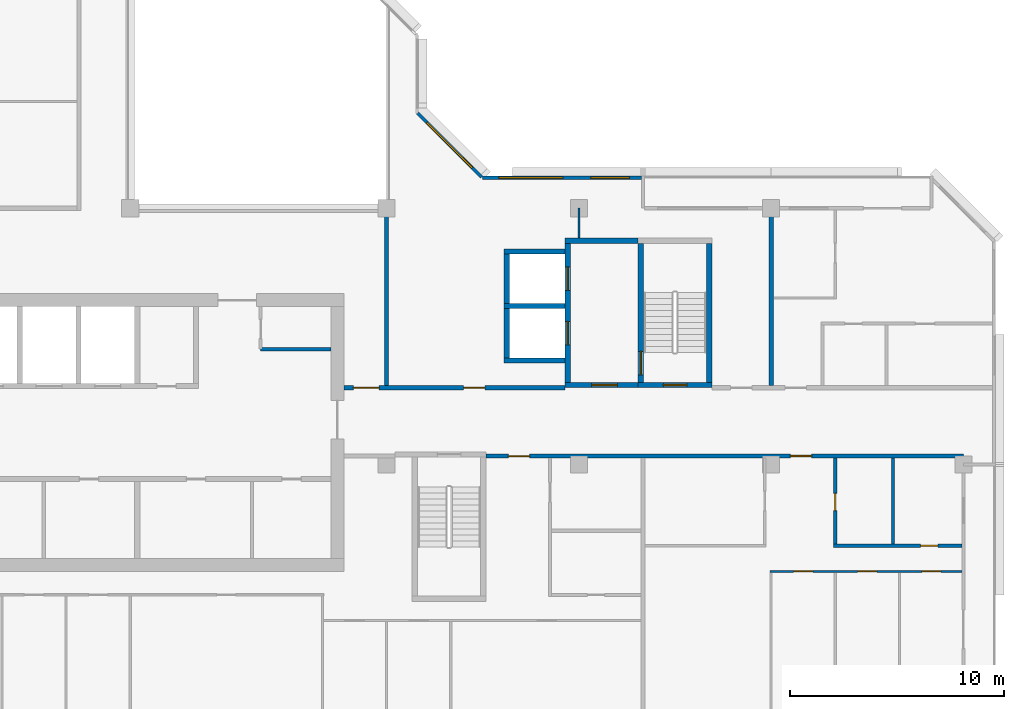
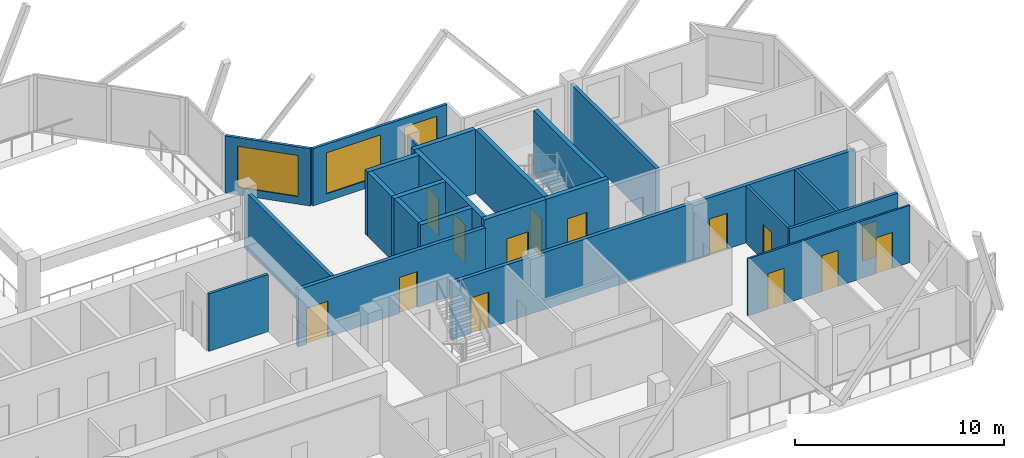
# One storey, part 7 of 13: 23 walls, 14 doors, 3 windows, 17 openings.
"""IFC4 building model written with IfcOpenShell, lengths in metres."""

from ifc_helpers import new_model, si_unit, direction, frame, frame_2d, origin, place, context, subcontext, project, spatial, rectangle, extrude, material, layer, layer_set, type_object, element, fill, save


model = new_model("IFC4")

# Units and contexts
model_context = context("Model", 3, precision=1e-05, world=origin(), true_north=direction((0.0, 1.0)))
body_context = subcontext(model_context, "Body", "Model", "MODEL_VIEW")
ifc_project = project(units=[si_unit("LENGTHUNIT", "METRE"), si_unit("AREAUNIT", "SQUARE_METRE"), si_unit("VOLUMEUNIT", "CUBIC_METRE"), si_unit("PLANEANGLEUNIT", "RADIAN"), si_unit("MASSUNIT", "GRAM", prefix="KILO")], contexts=[model_context])

# Site, building, storey
site_placement = place(None, origin())
site = spatial("IfcSite", under=ifc_project, at=site_placement, CompositionType="ELEMENT")
building_placement = place(site_placement, origin())
building = spatial("IfcBuilding", under=site, at=building_placement, Name="Chenar Terraces", CompositionType="ELEMENT")
storey_placement = place(building_placement, frame((0.0, 0.0, 273.39990234375)))
storey = spatial("IfcBuildingStorey", under=building, at=storey_placement, Name="L63", CompositionType="ELEMENT", Elevation=273.39990234375)

# Wall
ifc_material_1 = material(Name="Gypsum board on steel studs", Category="steel")
ifc_layer_1 = layer(ifc_material_1, 0.14990234375)
ifc_layer_set_1 = layer_set([ifc_layer_1], Name="Gypsum board on steel studs")
wall_type_1 = type_object("IfcWallType", Name="Core partition 150 gypsum board", PredefinedType="PARTITIONING", material=ifc_layer_set_1)
wall_1_placement = place(storey_placement, frame((30.10009765625, 17.39990234375, 0.0), z_axis=(0.0, 0.0, 1.0), x_axis=(1.0, 0.0, 0.0)))
element("IfcWall", 1, at=wall_1_placement, inside=storey, type_object=wall_type_1, Name="Core partition CP1 vestibule room south wall", PredefinedType="PARTITIONING", context=body_context, shape_type="SweptSolid", body=[
    extrude(rectangle(XDim=3.2998046875, YDim=0.14990234375, at=frame_2d((1.64990234375, 0.0))), origin(), (0.0, 0.0, 1.0), 3.35009765625),
])

# Wall, opening, door
ifc_material_2 = material(Name="Concrete C50/60", Category="concrete")
ifc_layer_2 = layer(ifc_material_2, 0.25)
ifc_layer_set_2 = layer_set([ifc_layer_2], Name="Concrete C50/60")
wall_type_2 = type_object("IfcWallType", Name="Core wall 250 Concrete C50/60", PredefinedType="SHEAR", material=ifc_layer_set_2)
wall_2_placement = place(storey_placement, frame((47.77490234375, 15.72509765625, 0.0), z_axis=(0.0, 0.0, 1.0), x_axis=(1.0, 0.0, 0.0)))
wall_2 = element("IfcWall", 2, at=wall_2_placement, inside=storey, type_object=wall_type_2, Name="Core wall ST3_S L63", PredefinedType="SHEAR", context=body_context, shape_type="SweptSolid", body=[
    extrude(rectangle(XDim=3.4501953125, YDim=0.25, at=frame_2d((1.72509765625, 0.0))), origin(), (0.0, 0.0, 1.0), 3.75),
])
opening_1_placement = place(wall_2_placement, frame((1.175048828125, 0.0, 0.0)))
opening_1 = element("IfcOpeningElement", 3, at=opening_1_placement, cuts=wall_2, Name="Opening DL63-C8", PredefinedType="OPENING", context=body_context, shape_type="SweptSolid", body=[
    extrude(rectangle(XDim=1.10009765625, YDim=2.199951171875, at=frame_2d((0.550048828125, 1.10009765625))), frame((0.0, 0.135009765625, 0.0), z_axis=(0.0, -1.0, 0.0), x_axis=(1.0, 0.0, 0.0)), (0.0, 0.0, 1.0), 0.27001953125),
])
ifc_material_3 = material(Name="Steel-framed fire-resisting door leaf", Category="steel")
door_type_1 = type_object("IfcDoorType", Name="Stair fire door FD60 1100 x 2200", OperationType="SINGLE_SWING_LEFT", PredefinedType="DOOR", material=ifc_material_3)
door_1_placement = place(opening_1_placement, frame((1.10009765625, 0.0, 0.0), z_axis=(0.0, 0.0, 1.0), x_axis=(-1.0, 0.0, 0.0)))
door_1 = element("IfcDoor", 4, at=door_1_placement, inside=storey, type_object=door_type_1, Name="Stair door DL63-C8", OperationType="SINGLE_SWING_LEFT", OverallHeight=2.199951171875, OverallWidth=1.10009765625, PredefinedType="DOOR", context=body_context, shape_type="SweptSolid", body=[
    extrude(rectangle(XDim=1.10009765625, YDim=2.199951171875, at=frame_2d((0.550048828125, 1.10009765625))), frame((0.0, 0.02490234375, 0.0), z_axis=(0.0, -1.0, 0.0), x_axis=(1.0, 0.0, 0.0)), (0.0, 0.0, 1.0), 0.050048828125),
])
fill(opening_1, door_1)

wall_3_placement = place(storey_placement, frame((47.89990234375, 15.85009765625, 0.0), z_axis=(0.0, 0.0, 1.0), x_axis=(0.0, 1.0, 0.0)))
wall_3 = element("IfcWall", 5, at=wall_3_placement, inside=storey, type_object=wall_type_2, Name="Core wall ST3_W L63", PredefinedType="SHEAR", context=body_context, shape_type="SweptSolid", body=[
    extrude(rectangle(XDim=6.5, YDim=0.25, at=frame_2d((3.25, 0.0))), origin(), (0.0, 0.0, 1.0), 3.75),
])
opening_2_placement = place(wall_3_placement, frame((0.35009765625, 0.0, 0.0)))
opening_2 = element("IfcOpeningElement", 6, at=opening_2_placement, cuts=wall_3, Name="Opening DL63-C11", PredefinedType="OPENING", context=body_context, shape_type="SweptSolid", body=[
    extrude(rectangle(XDim=1.10009765625, YDim=2.199951171875, at=frame_2d((0.550048828125, 1.10009765625))), frame((0.0, 0.135009765625, 0.0), z_axis=(0.0, -1.0, 0.0), x_axis=(1.0, 0.0, 0.0)), (0.0, 0.0, 1.0), 0.27001953125),
])
door_2_placement = place(opening_2_placement, frame((1.10009765625, 0.0, 0.0), z_axis=(0.0, 0.0, 1.0), x_axis=(-1.0, 0.0, 0.0)))
door_2 = element("IfcDoor", 7, at=door_2_placement, inside=storey, type_object=door_type_1, Name="Stair door DL63-C11", OperationType="SINGLE_SWING_RIGHT", OverallHeight=2.199951171875, OverallWidth=1.10009765625, PredefinedType="DOOR", context=body_context, shape_type="SweptSolid", body=[
    extrude(rectangle(XDim=1.10009765625, YDim=2.199951171875, at=frame_2d((0.550048828125, 1.10009765625))), frame((0.0, 0.02490234375, 0.0), z_axis=(0.0, -1.0, 0.0), x_axis=(1.0, 0.0, 0.0)), (0.0, 0.0, 1.0), 0.050048828125),
])
fill(opening_2, door_2)

# Wall
wall_4_placement = place(storey_placement, frame((51.10009765625, 15.85009765625, 0.0), z_axis=(0.0, 0.0, 1.0), x_axis=(0.0, 1.0, 0.0)))
element("IfcWall", 8, at=wall_4_placement, inside=storey, type_object=wall_type_2, Name="Core wall ST3_E L63", PredefinedType="SHEAR", context=body_context, shape_type="SweptSolid", body=[
    extrude(rectangle(XDim=6.5, YDim=0.25, at=frame_2d((3.25, 0.0))), origin(), (0.0, 0.0, 1.0), 3.75),
])

# Wall, opening, door
wall_5_placement = place(storey_placement, frame((44.35009765625, 15.72509765625, 0.0), z_axis=(0.0, 0.0, 1.0), x_axis=(1.0, 0.0, 0.0)))
wall_5 = element("IfcWall", 9, at=wall_5_placement, inside=storey, type_object=wall_type_2, Name="Core wall F3_LS L63", PredefinedType="SHEAR", context=body_context, shape_type="SweptSolid", body=[
    extrude(rectangle(XDim=3.4248046875, YDim=0.25, at=frame_2d((1.71240234375, 0.0))), origin(), (0.0, 0.0, 1.0), 3.75),
])
opening_3_placement = place(wall_5_placement, frame((1.25, 0.0, 0.0)))
opening_3 = element("IfcOpeningElement", 10, at=opening_3_placement, cuts=wall_5, Name="Opening DL63-C10", PredefinedType="OPENING", context=body_context, shape_type="SweptSolid", body=[
    extrude(rectangle(XDim=1.199951171875, YDim=2.199951171875, at=frame_2d((0.60009765625, 1.10009765625))), frame((0.0, 0.135009765625, 0.0), z_axis=(0.0, -1.0, 0.0), x_axis=(1.0, 0.0, 0.0)), (0.0, 0.0, 1.0), 0.27001953125),
])
ifc_material_4 = material(Name="Steel-framed fire-resisting door leaf", Category="steel")
door_type_2 = type_object("IfcDoorType", Name="Lobby fire door FD60 1200 x 2200", OperationType="SINGLE_SWING_LEFT", PredefinedType="DOOR", material=ifc_material_4)
door_3_placement = place(opening_3_placement, origin())
door_3 = element("IfcDoor", 11, at=door_3_placement, inside=storey, type_object=door_type_2, Name="Core door DL63-C10", OperationType="SINGLE_SWING_RIGHT", OverallHeight=2.199951171875, OverallWidth=1.199951171875, PredefinedType="DOOR", context=body_context, shape_type="SweptSolid", body=[
    extrude(rectangle(XDim=1.199951171875, YDim=2.199951171875, at=frame_2d((0.60009765625, 1.10009765625))), frame((0.0, 0.02490234375, 0.0), z_axis=(0.0, -1.0, 0.0), x_axis=(1.0, 0.0, 0.0)), (0.0, 0.0, 1.0), 0.050048828125),
])
fill(opening_3, door_3)

# Wall
wall_6_placement = place(storey_placement, frame((44.35009765625, 22.47509765625, 0.0), z_axis=(0.0, 0.0, 1.0), x_axis=(1.0, 0.0, 0.0)))
element("IfcWall", 12, at=wall_6_placement, inside=storey, type_object=wall_type_2, Name="Core wall F3_LN L63", PredefinedType="SHEAR", context=body_context, shape_type="SweptSolid", body=[
    extrude(rectangle(XDim=3.4248046875, YDim=0.25, at=frame_2d((1.71240234375, 0.0))), origin(), (0.0, 0.0, 1.0), 3.75),
])

# Wall, openings, doors
wall_7_placement = place(storey_placement, frame((44.47509765625, 15.85009765625, 0.0), z_axis=(0.0, 0.0, 1.0), x_axis=(0.0, 1.0, 0.0)))
wall_7 = element("IfcWall", 13, at=wall_7_placement, inside=storey, type_object=wall_type_2, Name="Core wall F3_LW L63", PredefinedType="SHEAR", context=body_context, shape_type="SweptSolid", body=[
    extrude(rectangle(XDim=6.5, YDim=0.25, at=frame_2d((3.25, 0.0))), origin(), (0.0, 0.0, 1.0), 3.75),
])
opening_4_placement = place(wall_7_placement, frame((1.75, 0.0, 0.0)))
opening_4 = element("IfcOpeningElement", 14, at=opening_4_placement, cuts=wall_7, Name="Opening DL63-LD8", PredefinedType="OPENING", context=body_context, shape_type="SweptSolid", body=[
    extrude(rectangle(XDim=1.10009765625, YDim=2.199951171875, at=frame_2d((0.550048828125, 1.10009765625))), frame((0.0, 0.135009765625, 0.0), z_axis=(0.0, -1.0, 0.0), x_axis=(1.0, 0.0, 0.0)), (0.0, 0.0, 1.0), 0.27001953125),
])
opening_5_placement = place(wall_7_placement, frame((4.300048828125, 0.0, 0.0)))
opening_5 = element("IfcOpeningElement", 15, at=opening_5_placement, cuts=wall_7, Name="Opening DL63-LD9", PredefinedType="OPENING", context=body_context, shape_type="SweptSolid", body=[
    extrude(rectangle(XDim=1.10009765625, YDim=2.199951171875, at=frame_2d((0.550048828125, 1.10009765625))), frame((0.0, 0.135009765625, 0.0), z_axis=(0.0, -1.0, 0.0), x_axis=(1.0, 0.0, 0.0)), (0.0, 0.0, 1.0), 0.27001953125),
])
ifc_material_5 = material(Name="Stainless steel", Category="steel")
door_type_3 = type_object("IfcDoorType", Name="Lift landing door 1100 x 2200 sliding", OperationType="DOUBLE_DOOR_SLIDING", PredefinedType="DOOR", material=ifc_material_5)
door_4_placement = place(opening_4_placement, origin())
door_4 = element("IfcDoor", 16, at=door_4_placement, inside=storey, type_object=door_type_3, Name="Landing door F3", OperationType="DOUBLE_DOOR_SLIDING", OverallHeight=2.199951171875, OverallWidth=1.10009765625, PredefinedType="DOOR", context=body_context, shape_type="SweptSolid", body=[
    extrude(rectangle(XDim=1.10009765625, YDim=2.199951171875, at=frame_2d((0.550048828125, 1.10009765625))), frame((0.0, 0.02490234375, 0.0), z_axis=(0.0, -1.0, 0.0), x_axis=(1.0, 0.0, 0.0)), (0.0, 0.0, 1.0), 0.050048828125),
])
fill(opening_4, door_4)
door_5_placement = place(opening_5_placement, origin())
door_5 = element("IfcDoor", 17, at=door_5_placement, inside=storey, type_object=door_type_3, Name="Landing door F4", OperationType="DOUBLE_DOOR_SLIDING", OverallHeight=2.199951171875, OverallWidth=1.10009765625, PredefinedType="DOOR", context=body_context, shape_type="SweptSolid", body=[
    extrude(rectangle(XDim=1.10009765625, YDim=2.199951171875, at=frame_2d((0.550048828125, 1.10009765625))), frame((0.0, 0.02490234375, 0.0), z_axis=(0.0, -1.0, 0.0), x_axis=(1.0, 0.0, 0.0)), (0.0, 0.0, 1.0), 0.050048828125),
])
fill(opening_5, door_5)

# Walls
for number, where, z_axis, x_axis, name in (
    (18, (41.5, 16.875, 0.0), (0.0, 0.0, 1.0), (1.0, 0.0, 0.0), "Core wall F3_SS L63"),
    (19, (41.5, 19.425048828125, 0.0), (0.0, 0.0, 1.0), (1.0, 0.0, 0.0), "Core wall F3_SM L63"),
    (20, (41.5, 21.97509765625, 0.0), (0.0, 0.0, 1.0), (1.0, 0.0, 0.0), "Core wall F4_SN L63"),
):
    element("IfcWall", number, at=place(storey_placement, frame(where, z_axis=z_axis, x_axis=x_axis)), inside=storey, type_object=wall_type_2, Name=name, PredefinedType="SHEAR", context=body_context, shape_type="SweptSolid", body=[
        extrude(rectangle(XDim=2.85009765625, YDim=0.25, at=frame_2d((1.425048828125, 0.0))), origin(), (0.0, 0.0, 1.0), 3.75),
    ])
for number, where, z_axis, x_axis, name in (
    (21, (41.625, 17.0, 0.0), (0.0, 0.0, 1.0), (0.0, 1.0, 0.0), "Core wall F3_SW L63"),
    (22, (41.625, 19.550048828125, 0.0), (0.0, 0.0, 1.0), (0.0, 1.0, 0.0), "Core wall F4_SW L63"),
):
    element("IfcWall", number, at=place(storey_placement, frame(where, z_axis=z_axis, x_axis=x_axis)), inside=storey, type_object=wall_type_2, Name=name, PredefinedType="SHEAR", context=body_context, shape_type="SweptSolid", body=[
        extrude(rectangle(XDim=2.300048828125, YDim=0.25, at=frame_2d((1.14990234375, 0.0))), origin(), (0.0, 0.0, 1.0), 3.75),
    ])

# Wall, openings, doors
ifc_material_6 = material(Name="Gypsum board on steel studs with fire boards", Category="steel")
ifc_layer_3 = layer(ifc_material_6, 0.199951171875)
ifc_layer_set_3 = layer_set([ifc_layer_3], Name="Gypsum board on steel studs with fire boards")
wall_type_3 = type_object("IfcWallType", Name="Corridor wall 200", PredefinedType="PARTITIONING", material=ifc_layer_set_3)
wall_8_placement = place(storey_placement, frame((34.0, 15.60009765625, 0.0), z_axis=(0.0, 0.0, 1.0), x_axis=(1.0, 0.0, 0.0)))
wall_8 = element("IfcWall", 23, at=wall_8_placement, inside=storey, type_object=wall_type_3, Name="Partition L63-048", PredefinedType="PARTITIONING", context=body_context, shape_type="SweptSolid", body=[
    extrude(rectangle(XDim=10.35009765625, YDim=0.199951171875, at=frame_2d((5.175048828125, 0.0))), origin(), (0.0, 0.0, 1.0), 3.35009765625),
])
opening_6_placement = place(wall_8_placement, frame((5.60009765625, 0.0, 0.0)))
opening_6 = element("IfcOpeningElement", 24, at=opening_6_placement, cuts=wall_8, Name="Opening DL63-3", PredefinedType="OPENING", context=body_context, shape_type="SweptSolid", body=[
    extrude(rectangle(XDim=1.0, YDim=2.10009765625, at=frame_2d((0.5, 1.050048828125))), frame((0.0, 0.10986328125, 0.0), z_axis=(0.0, -1.0, 0.0), x_axis=(1.0, 0.0, 0.0)), (0.0, 0.0, 1.0), 0.219970703125),
])
opening_7_placement = place(wall_8_placement, frame((0.449951171875, 0.0, 0.0)))
opening_7 = element("IfcOpeningElement", 25, at=opening_7_placement, cuts=wall_8, Name="Opening DL63-29", PredefinedType="OPENING", context=body_context, shape_type="SweptSolid", body=[
    extrude(rectangle(XDim=1.199951171875, YDim=2.10009765625, at=frame_2d((0.60009765625, 1.050048828125))), frame((0.0, 0.10986328125, 0.0), z_axis=(0.0, -1.0, 0.0), x_axis=(1.0, 0.0, 0.0)), (0.0, 0.0, 1.0), 0.219970703125),
])
ifc_material_7 = material(Name="Steel-framed fire-resisting door leaf", Category="steel")
door_type_4 = type_object("IfcDoorType", Name="Fire door FD60 1000 x 2100", OperationType="SINGLE_SWING_LEFT", PredefinedType="DOOR", material=ifc_material_7)
door_6_placement = place(opening_6_placement, origin())
door_6 = element("IfcDoor", 26, at=door_6_placement, inside=storey, type_object=door_type_4, Name="Door DL63-3", OperationType="SINGLE_SWING_RIGHT", OverallHeight=2.10009765625, OverallWidth=1.0, PredefinedType="DOOR", context=body_context, shape_type="SweptSolid", body=[
    extrude(rectangle(XDim=1.0, YDim=2.10009765625, at=frame_2d((0.5, 1.050048828125))), frame((0.0, 0.02490234375, 0.0), z_axis=(0.0, -1.0, 0.0), x_axis=(1.0, 0.0, 0.0)), (0.0, 0.0, 1.0), 0.050048828125),
])
fill(opening_6, door_6)
ifc_material_8 = material(Name="Steel-framed fire-resisting door leaf", Category="steel")
door_type_5 = type_object("IfcDoorType", Name="Fire door FD60 1200 x 2100", OperationType="SINGLE_SWING_LEFT", PredefinedType="DOOR", material=ifc_material_8)
door_7_placement = place(opening_7_placement, origin())
door_7 = element("IfcDoor", 27, at=door_7_placement, inside=storey, type_object=door_type_5, Name="Door DL63-29", OperationType="SINGLE_SWING_RIGHT", OverallHeight=2.10009765625, OverallWidth=1.199951171875, PredefinedType="DOOR", context=body_context, shape_type="SweptSolid", body=[
    extrude(rectangle(XDim=1.199951171875, YDim=2.10009765625, at=frame_2d((0.60009765625, 1.050048828125))), frame((0.0, 0.02490234375, 0.0), z_axis=(0.0, -1.0, 0.0), x_axis=(1.0, 0.0, 0.0)), (0.0, 0.0, 1.0), 0.050048828125),
])
fill(opening_7, door_7)

# Wall
wall_9_placement = place(storey_placement, frame((36.0, 15.699951171875, 0.0), z_axis=(0.0, 0.0, 1.0), x_axis=(0.0, 1.0, 0.0)))
element("IfcWall", 28, at=wall_9_placement, inside=storey, type_object=wall_type_3, Name="Partition L63-050", PredefinedType="PARTITIONING", context=body_context, shape_type="SweptSolid", body=[
    extrude(rectangle(XDim=8.300048828125, YDim=0.199951171875, at=frame_2d((4.14990234375, 0.0))), origin(), (0.0, 0.0, 1.0), 3.35009765625),
])

# Wall, openings, doors
wall_10_placement = place(storey_placement, frame((40.64990234375, 12.39990234375, 0.0), z_axis=(0.0, 0.0, 1.0), x_axis=(1.0, 0.0, 0.0)))
wall_10 = element("IfcWall", 29, at=wall_10_placement, inside=storey, type_object=wall_type_3, Name="Partition L63-052", PredefinedType="PARTITIONING", context=body_context, shape_type="SweptSolid", body=[
    extrude(rectangle(XDim=22.35009765625, YDim=0.199951171875, at=frame_2d((11.175048828125, 0.0))), origin(), (0.0, 0.0, 1.0), 3.35009765625),
])
opening_8_placement = place(wall_10_placement, frame((14.25, 0.0, 0.0)))
opening_8 = element("IfcOpeningElement", 30, at=opening_8_placement, cuts=wall_10, Name="Opening DL63-13", PredefinedType="OPENING", context=body_context, shape_type="SweptSolid", body=[
    extrude(rectangle(XDim=1.0, YDim=2.10009765625, at=frame_2d((0.5, 1.050048828125))), frame((0.0, 0.10986328125, 0.0), z_axis=(0.0, -1.0, 0.0), x_axis=(1.0, 0.0, 0.0)), (0.0, 0.0, 1.0), 0.219970703125),
])
opening_9_placement = place(wall_10_placement, frame((1.050048828125, 0.0, 0.0)))
opening_9 = element("IfcOpeningElement", 31, at=opening_9_placement, cuts=wall_10, Name="Opening DL63-43", PredefinedType="OPENING", context=body_context, shape_type="SweptSolid", body=[
    extrude(rectangle(XDim=1.0, YDim=2.10009765625, at=frame_2d((0.5, 1.050048828125))), frame((0.0, 0.10986328125, 0.0), z_axis=(0.0, -1.0, 0.0), x_axis=(1.0, 0.0, 0.0)), (0.0, 0.0, 1.0), 0.219970703125),
])
ifc_material_9 = material(Name="Steel-framed fire-resisting door leaf", Category="steel")
door_type_6 = type_object("IfcDoorType", Name="Fire door FD30S 1000 x 2100", OperationType="SINGLE_SWING_LEFT", PredefinedType="DOOR", material=ifc_material_9)
door_8_placement = place(opening_8_placement, frame((1.0, 0.0, 0.0), z_axis=(0.0, 0.0, 1.0), x_axis=(-1.0, 0.0, 0.0)))
door_8 = element("IfcDoor", 32, at=door_8_placement, inside=storey, type_object=door_type_6, Name="Door DL63-13", OperationType="SINGLE_SWING_RIGHT", OverallHeight=2.10009765625, OverallWidth=1.0, PredefinedType="DOOR", context=body_context, shape_type="SweptSolid", body=[
    extrude(rectangle(XDim=1.0, YDim=2.10009765625, at=frame_2d((0.5, 1.050048828125))), frame((0.0, 0.02490234375, 0.0), z_axis=(0.0, -1.0, 0.0), x_axis=(1.0, 0.0, 0.0)), (0.0, 0.0, 1.0), 0.050048828125),
])
fill(opening_8, door_8)
door_9_placement = place(opening_9_placement, origin())
door_9 = element("IfcDoor", 33, at=door_9_placement, inside=storey, type_object=door_type_6, Name="Door DL63-43", OperationType="SINGLE_SWING_LEFT", OverallHeight=2.10009765625, OverallWidth=1.0, PredefinedType="DOOR", context=body_context, shape_type="SweptSolid", body=[
    extrude(rectangle(XDim=1.0, YDim=2.10009765625, at=frame_2d((0.5, 1.050048828125))), frame((0.0, 0.02490234375, 0.0), z_axis=(0.0, -1.0, 0.0), x_axis=(1.0, 0.0, 0.0)), (0.0, 0.0, 1.0), 0.050048828125),
])
fill(opening_9, door_9)

# Wall, openings, windows
ifc_material_10 = material(Name="Aluminium framed glazing", Category="aluminium")
ifc_layer_4 = layer(ifc_material_10, 0.14990234375)
ifc_layer_set_4 = layer_set([ifc_layer_4], Name="Aluminium framed glazing")
wall_type_4 = type_object("IfcWallType", Name="Glazed flush facade wall 150", PredefinedType="SOLIDWALL", material=ifc_layer_set_4)
wall_11_placement = place(storey_placement, frame((47.925048828125, 25.425048828125, 0.0), z_axis=(0.0, 0.0, 1.0), x_axis=(-1.0, 0.0, 0.0)))
wall_11 = element("IfcWall", 34, at=wall_11_placement, inside=storey, type_object=wall_type_4, Name="Glazed flush facade wall", PredefinedType="SOLIDWALL", context=body_context, shape_type="SweptSolid", body=[
    extrude(rectangle(XDim=7.425048828125, YDim=0.14990234375, at=frame_2d((3.71240234375, 0.0))), origin(), (0.0, 0.0, 1.0), 3.35009765625),
])
opening_10_placement = place(wall_11_placement, frame((0.5625, 0.0, 0.449951171875)))
opening_10 = element("IfcOpeningElement", 35, at=opening_10_placement, cuts=wall_11, Name="Opening W180x240", PredefinedType="OPENING", context=body_context, shape_type="SweptSolid", body=[
    extrude(rectangle(XDim=1.800048828125, YDim=2.39990234375, at=frame_2d((0.89990234375, 1.199951171875))), frame((0.0, 0.0849609375, 0.0), z_axis=(0.0, -1.0, 0.0), x_axis=(1.0, 0.0, 0.0)), (0.0, 0.0, 1.0), 0.169921875),
])
opening_11_placement = place(wall_11_placement, frame((3.675048828125, 0.0, 0.449951171875)))
opening_11 = element("IfcOpeningElement", 36, at=opening_11_placement, cuts=wall_11, Name="Opening W300x240", PredefinedType="OPENING", context=body_context, shape_type="SweptSolid", body=[
    extrude(rectangle(XDim=3.0, YDim=2.39990234375, at=frame_2d((1.5, 1.199951171875))), frame((0.0, 0.0849609375, 0.0), z_axis=(0.0, -1.0, 0.0), x_axis=(1.0, 0.0, 0.0)), (0.0, 0.0, 1.0), 0.169921875),
])
ifc_material_11 = material(Name="Low emissivity double glazing, aluminium frame", Category="aluminium")
window_type_1 = type_object("IfcWindowType", Name="Fixed light 1800 x 2400", PartitioningType="SINGLE_PANEL", PredefinedType="WINDOW", material=ifc_material_11)
window_1_placement = place(opening_10_placement, origin())
window_1 = element("IfcWindow", 37, at=window_1_placement, inside=storey, type_object=window_type_1, Name="Window", OverallHeight=2.39990234375, OverallWidth=1.800048828125, PartitioningType="SINGLE_PANEL", PredefinedType="WINDOW", context=body_context, shape_type="SweptSolid", body=[
    extrude(rectangle(XDim=1.800048828125, YDim=2.39990234375, at=frame_2d((0.89990234375, 1.199951171875))), frame((0.0, 0.030029296875, 0.0), z_axis=(0.0, -1.0, 0.0), x_axis=(1.0, 0.0, 0.0)), (0.0, 0.0, 1.0), 0.06005859375),
])
fill(opening_10, window_1)
ifc_material_12 = material(Name="Low emissivity double glazing, aluminium frame", Category="aluminium")
window_type_2 = type_object("IfcWindowType", Name="Fixed light 3000 x 2400", PartitioningType="SINGLE_PANEL", PredefinedType="WINDOW", material=ifc_material_12)
window_2_placement = place(opening_11_placement, origin())
window_2 = element("IfcWindow", 38, at=window_2_placement, inside=storey, type_object=window_type_2, Name="Window", OverallHeight=2.39990234375, OverallWidth=3.0, PartitioningType="SINGLE_PANEL", PredefinedType="WINDOW", context=body_context, shape_type="SweptSolid", body=[
    extrude(rectangle(XDim=3.0, YDim=2.39990234375, at=frame_2d((1.5, 1.199951171875))), frame((0.0, 0.030029296875, 0.0), z_axis=(0.0, -1.0, 0.0), x_axis=(1.0, 0.0, 0.0)), (0.0, 0.0, 1.0), 0.06005859375),
])
fill(opening_11, window_2)

# Wall
ifc_material_13 = material(Name="Gypsum board on steel studs", Category="steel")
ifc_layer_5 = layer(ifc_material_13, 0.10009765625)
ifc_layer_set_5 = layer_set([ifc_layer_5], Name="Gypsum board on steel studs")
wall_type_5 = type_object("IfcWallType", Name="Gypsum partition 100", PredefinedType="PARTITIONING", material=ifc_layer_set_5)
wall_12_placement = place(storey_placement, frame((45.0, 22.60009765625, 0.0), z_axis=(0.0, 0.0, 1.0), x_axis=(0.0, 1.0, 0.0)))
element("IfcWall", 39, at=wall_12_placement, inside=storey, type_object=wall_type_5, Name="Partition L63-056", PredefinedType="PARTITIONING", context=body_context, shape_type="SweptSolid", body=[
    extrude(rectangle(XDim=1.39990234375, YDim=0.10009765625, at=frame_2d((0.699951171875, 0.0))), origin(), (0.0, 0.0, 1.0), 3.35009765625),
])

# Wall, openings, doors
wall_13_placement = place(storey_placement, frame((53.949951171875, 7.0, 0.0), z_axis=(0.0, 0.0, 1.0), x_axis=(1.0, 0.0, 0.0)))
wall_13 = element("IfcWall", 40, at=wall_13_placement, inside=storey, type_object=wall_type_5, Name="Partition L63-061", PredefinedType="PARTITIONING", context=body_context, shape_type="SweptSolid", body=[
    extrude(rectangle(XDim=8.97607421875, YDim=0.10009765625, at=frame_2d((4.488037109375, 0.0))), origin(), (0.0, 0.0, 1.0), 3.35009765625),
])
opening_12_placement = place(wall_13_placement, frame((1.10009765625, 0.0, 0.0)))
opening_12 = element("IfcOpeningElement", 41, at=opening_12_placement, cuts=wall_13, Name="Opening DL63-9", PredefinedType="OPENING", context=body_context, shape_type="SweptSolid", body=[
    extrude(rectangle(XDim=0.89990234375, YDim=2.10009765625, at=frame_2d((0.449951171875, 1.050048828125))), frame((0.0, 0.06005859375, 0.0), z_axis=(0.0, -1.0, 0.0), x_axis=(1.0, 0.0, 0.0)), (0.0, 0.0, 1.0), 0.1201171875),
])
opening_13_placement = place(wall_13_placement, frame((4.10009765625, 0.0, 0.0)))
opening_13 = element("IfcOpeningElement", 42, at=opening_13_placement, cuts=wall_13, Name="Opening DL63-10", PredefinedType="OPENING", context=body_context, shape_type="SweptSolid", body=[
    extrude(rectangle(XDim=0.89990234375, YDim=2.10009765625, at=frame_2d((0.449951171875, 1.050048828125))), frame((0.0, 0.06005859375, 0.0), z_axis=(0.0, -1.0, 0.0), x_axis=(1.0, 0.0, 0.0)), (0.0, 0.0, 1.0), 0.1201171875),
])
opening_14_placement = place(wall_13_placement, frame((7.10009765625, 0.0, 0.0)))
opening_14 = element("IfcOpeningElement", 43, at=opening_14_placement, cuts=wall_13, Name="Opening DL63-14", PredefinedType="OPENING", context=body_context, shape_type="SweptSolid", body=[
    extrude(rectangle(XDim=0.89990234375, YDim=2.10009765625, at=frame_2d((0.449951171875, 1.050048828125))), frame((0.0, 0.06005859375, 0.0), z_axis=(0.0, -1.0, 0.0), x_axis=(1.0, 0.0, 0.0)), (0.0, 0.0, 1.0), 0.1201171875),
])
ifc_material_14 = material(Name="Veneered timber door leaf", Category="wood")
door_type_7 = type_object("IfcDoorType", Name="Door 900 x 2100", OperationType="SINGLE_SWING_LEFT", PredefinedType="DOOR", material=ifc_material_14)
door_10_placement = place(opening_12_placement, frame((0.89990234375, 0.0, 0.0), z_axis=(0.0, 0.0, 1.0), x_axis=(-1.0, 0.0, 0.0)))
door_10 = element("IfcDoor", 44, at=door_10_placement, inside=storey, type_object=door_type_7, Name="Door DL63-9", OperationType="SINGLE_SWING_RIGHT", OverallHeight=2.10009765625, OverallWidth=0.89990234375, PredefinedType="DOOR", context=body_context, shape_type="SweptSolid", body=[
    extrude(rectangle(XDim=0.89990234375, YDim=2.10009765625, at=frame_2d((0.449951171875, 1.050048828125))), frame((0.0, 0.02490234375, 0.0), z_axis=(0.0, -1.0, 0.0), x_axis=(1.0, 0.0, 0.0)), (0.0, 0.0, 1.0), 0.050048828125),
])
fill(opening_12, door_10)
door_11_placement = place(opening_13_placement, frame((0.89990234375, 0.0, 0.0), z_axis=(0.0, 0.0, 1.0), x_axis=(-1.0, 0.0, 0.0)))
door_11 = element("IfcDoor", 45, at=door_11_placement, inside=storey, type_object=door_type_7, Name="Door DL63-10", OperationType="SINGLE_SWING_RIGHT", OverallHeight=2.10009765625, OverallWidth=0.89990234375, PredefinedType="DOOR", context=body_context, shape_type="SweptSolid", body=[
    extrude(rectangle(XDim=0.89990234375, YDim=2.10009765625, at=frame_2d((0.449951171875, 1.050048828125))), frame((0.0, 0.02490234375, 0.0), z_axis=(0.0, -1.0, 0.0), x_axis=(1.0, 0.0, 0.0)), (0.0, 0.0, 1.0), 0.050048828125),
])
fill(opening_13, door_11)
door_12_placement = place(opening_14_placement, frame((0.89990234375, 0.0, 0.0), z_axis=(0.0, 0.0, 1.0), x_axis=(-1.0, 0.0, 0.0)))
door_12 = element("IfcDoor", 46, at=door_12_placement, inside=storey, type_object=door_type_7, Name="Door DL63-14", OperationType="SINGLE_SWING_RIGHT", OverallHeight=2.10009765625, OverallWidth=0.89990234375, PredefinedType="DOOR", context=body_context, shape_type="SweptSolid", body=[
    extrude(rectangle(XDim=0.89990234375, YDim=2.10009765625, at=frame_2d((0.449951171875, 1.050048828125))), frame((0.0, 0.02490234375, 0.0), z_axis=(0.0, -1.0, 0.0), x_axis=(1.0, 0.0, 0.0)), (0.0, 0.0, 1.0), 0.050048828125),
])
fill(opening_14, door_12)

# Wall, opening, window
ifc_material_15 = material(Name="Terracotta cladding on insulated backing", Category="masonry")
ifc_layer_6 = layer(ifc_material_15, 0.14990234375)
ifc_layer_set_6 = layer_set([ifc_layer_6], Name="Terracotta cladding on insulated backing")
wall_type_6 = type_object("IfcWallType", Name="Terracotta rainscreen wall 150", PredefinedType="SOLIDWALL", material=ifc_layer_set_6)
wall_14_placement = place(storey_placement, frame((40.447021484375, 25.447021484375, 0.0), z_axis=(0.0, 0.0, 1.0), x_axis=(-0.707106781187, 0.707106781187, 0.0)))
wall_14 = element("IfcWall", 47, at=wall_14_placement, inside=storey, type_object=wall_type_6, Name="Terracotta rainscreen wall", PredefinedType="SOLIDWALL", context=body_context, shape_type="SweptSolid", body=[
    extrude(rectangle(XDim=4.24267578125, YDim=0.14990234375, at=frame_2d((2.121337890625, 0.0))), origin(), (0.0, 0.0, 1.0), 3.35009765625),
])
opening_15_placement = place(wall_14_placement, frame((0.621337890625, 0.0, 0.449951171875)))
opening_15 = element("IfcOpeningElement", 48, at=opening_15_placement, cuts=wall_14, Name="Opening W300x240", PredefinedType="OPENING", context=body_context, shape_type="SweptSolid", body=[
    extrude(rectangle(XDim=3.0, YDim=2.39990234375, at=frame_2d((1.5, 1.199951171875))), frame((0.0, 0.0849609375, 0.0), z_axis=(0.0, -1.0, 0.0), x_axis=(1.0, 0.0, 0.0)), (0.0, 0.0, 1.0), 0.169921875),
])
window_3_placement = place(opening_15_placement, origin())
window_3 = element("IfcWindow", 49, at=window_3_placement, inside=storey, type_object=window_type_2, Name="Window", OverallHeight=2.39990234375, OverallWidth=3.0, PartitioningType="SINGLE_PANEL", PredefinedType="WINDOW", context=body_context, shape_type="SweptSolid", body=[
    extrude(rectangle(XDim=3.0, YDim=2.39990234375, at=frame_2d((1.5, 1.199951171875))), frame((0.0, 0.030029296875, 0.0), z_axis=(0.0, -1.0, 0.0), x_axis=(1.0, 0.0, 0.0)), (0.0, 0.0, 1.0), 0.06005859375),
])
fill(opening_15, window_3)

# Wall
ifc_material_16 = material(Name="Twin gypsum board on steel studs with mineral wool", Category="steel")
ifc_layer_7 = layer(ifc_material_16, 0.199951171875)
ifc_layer_set_7 = layer_set([ifc_layer_7], Name="Twin gypsum board on steel studs with mineral wool")
wall_type_7 = type_object("IfcWallType", Name="Unit demising wall 200", PredefinedType="PARTITIONING", material=ifc_layer_set_7)
wall_15_placement = place(storey_placement, frame((54.0, 15.699951171875, 0.0), z_axis=(0.0, 0.0, 1.0), x_axis=(0.0, 1.0, 0.0)))
element("IfcWall", 50, at=wall_15_placement, inside=storey, type_object=wall_type_7, Name="Partition L63-063", PredefinedType="PARTITIONING", context=body_context, shape_type="SweptSolid", body=[
    extrude(rectangle(XDim=8.22607421875, YDim=0.199951171875, at=frame_2d((4.113037109375, 0.0))), origin(), (0.0, 0.0, 1.0), 3.35009765625),
])

# Wall, opening, door
ifc_material_17 = material(Name="Moisture-resistant gypsum board on steel studs", Category="steel")
ifc_layer_8 = layer(ifc_material_17, 0.14990234375)
ifc_layer_set_8 = layer_set([ifc_layer_8], Name="Moisture-resistant gypsum board on steel studs")
wall_type_8 = type_object("IfcWallType", Name="Wet-room partition 150", PredefinedType="PARTITIONING", material=ifc_layer_set_8)
wall_16_placement = place(storey_placement, frame((56.925048828125, 8.199951171875, 0.0), z_axis=(0.0, 0.0, 1.0), x_axis=(1.0, 0.0, 0.0)))
wall_16 = element("IfcWall", 51, at=wall_16_placement, inside=storey, type_object=wall_type_8, Name="Partition L63-067", PredefinedType="PARTITIONING", context=body_context, shape_type="SweptSolid", body=[
    extrude(rectangle(XDim=6.0009765625, YDim=0.14990234375, at=frame_2d((3.00048828125, 0.0))), origin(), (0.0, 0.0, 1.0), 3.35009765625),
])
opening_16_placement = place(wall_16_placement, frame((4.074951171875, 0.0, 0.0)))
opening_16 = element("IfcOpeningElement", 52, at=opening_16_placement, cuts=wall_16, Name="Opening DL63-12", PredefinedType="OPENING", context=body_context, shape_type="SweptSolid", body=[
    extrude(rectangle(XDim=0.800048828125, YDim=2.10009765625, at=frame_2d((0.39990234375, 1.050048828125))), frame((0.0, 0.0849609375, 0.0), z_axis=(0.0, -1.0, 0.0), x_axis=(1.0, 0.0, 0.0)), (0.0, 0.0, 1.0), 0.169921875),
])
ifc_material_18 = material(Name="Veneered timber door leaf", Category="wood")
door_type_8 = type_object("IfcDoorType", Name="Door 800 x 2100", OperationType="SINGLE_SWING_LEFT", PredefinedType="DOOR", material=ifc_material_18)
door_13_placement = place(opening_16_placement, origin())
door_13 = element("IfcDoor", 53, at=door_13_placement, inside=storey, type_object=door_type_8, Name="Door DL63-12", OperationType="SINGLE_SWING_RIGHT", OverallHeight=2.10009765625, OverallWidth=0.800048828125, PredefinedType="DOOR", context=body_context, shape_type="SweptSolid", body=[
    extrude(rectangle(XDim=0.800048828125, YDim=2.10009765625, at=frame_2d((0.39990234375, 1.050048828125))), frame((0.0, 0.02490234375, 0.0), z_axis=(0.0, -1.0, 0.0), x_axis=(1.0, 0.0, 0.0)), (0.0, 0.0, 1.0), 0.050048828125),
])
fill(opening_16, door_13)

wall_17_placement = place(storey_placement, frame((57.0, 8.27490234375, 0.0), z_axis=(0.0, 0.0, 1.0), x_axis=(0.0, 1.0, 0.0)))
wall_17 = element("IfcWall", 54, at=wall_17_placement, inside=storey, type_object=wall_type_8, Name="Partition L63-069", PredefinedType="PARTITIONING", context=body_context, shape_type="SweptSolid", body=[
    extrude(rectangle(XDim=4.025146484375, YDim=0.14990234375, at=frame_2d((2.0126953125, 0.0))), origin(), (0.0, 0.0, 1.0), 3.35009765625),
])
opening_17_placement = place(wall_17_placement, frame((1.574951171875, 0.0, 0.0)))
opening_17 = element("IfcOpeningElement", 55, at=opening_17_placement, cuts=wall_17, Name="Opening DL63-8", PredefinedType="OPENING", context=body_context, shape_type="SweptSolid", body=[
    extrude(rectangle(XDim=0.800048828125, YDim=2.10009765625, at=frame_2d((0.39990234375, 1.050048828125))), frame((0.0, 0.0849609375, 0.0), z_axis=(0.0, -1.0, 0.0), x_axis=(1.0, 0.0, 0.0)), (0.0, 0.0, 1.0), 0.169921875),
])
door_14_placement = place(opening_17_placement, frame((0.800048828125, 0.0, 0.0), z_axis=(0.0, 0.0, 1.0), x_axis=(-1.0, 0.0, 0.0)))
door_14 = element("IfcDoor", 56, at=door_14_placement, inside=storey, type_object=door_type_8, Name="Door DL63-8", OperationType="SINGLE_SWING_LEFT", OverallHeight=2.10009765625, OverallWidth=0.800048828125, PredefinedType="DOOR", context=body_context, shape_type="SweptSolid", body=[
    extrude(rectangle(XDim=0.800048828125, YDim=2.10009765625, at=frame_2d((0.39990234375, 1.050048828125))), frame((0.0, 0.02490234375, 0.0), z_axis=(0.0, -1.0, 0.0), x_axis=(1.0, 0.0, 0.0)), (0.0, 0.0, 1.0), 0.050048828125),
])
fill(opening_17, door_14)

# Wall
wall_18_placement = place(storey_placement, frame((59.699951171875, 8.27490234375, 0.0), z_axis=(0.0, 0.0, 1.0), x_axis=(0.0, 1.0, 0.0)))
element("IfcWall", 57, at=wall_18_placement, inside=storey, type_object=wall_type_8, Name="Partition L63-072", PredefinedType="PARTITIONING", context=body_context, shape_type="SweptSolid", body=[
    extrude(rectangle(XDim=4.025146484375, YDim=0.14990234375, at=frame_2d((2.0126953125, 0.0))), origin(), (0.0, 0.0, 1.0), 3.35009765625),
])

save(model, "model.ifc")
